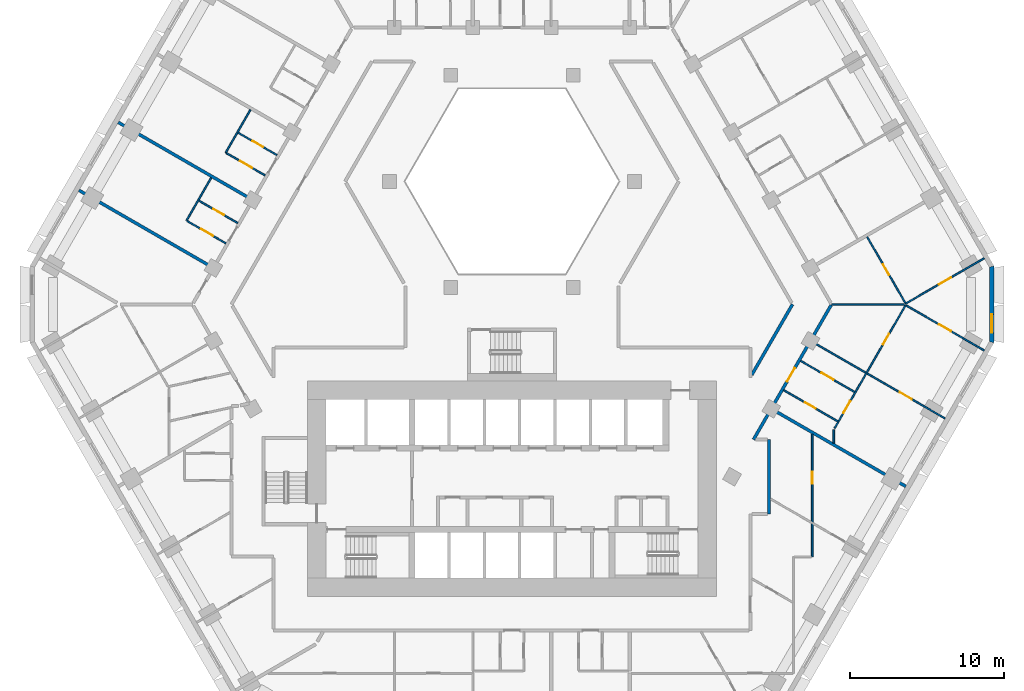
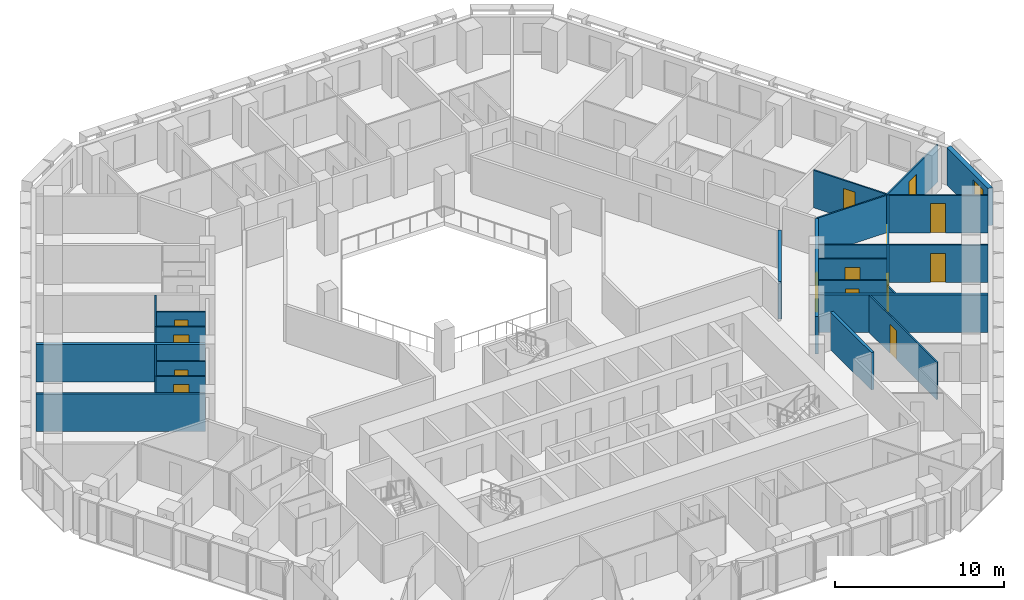
# One storey, part 7 of 16: 24 walls, 14 doors, 1 window, 15 openings.
"""IFC4 building model written with IfcOpenShell, lengths in metres."""

from ifc_helpers import new_model, si_unit, direction, frame, frame_2d, origin, place, context, subcontext, project, spatial, polyline, rectangle, outline, extrude, material, layer, layer_set, type_object, element, fill, save


model = new_model("IFC4")

# Units and contexts
model_context = context("Model", 3, precision=1e-05, world=origin(), true_north=direction((0.0, 1.0)))
body_context = subcontext(model_context, "Body", "Model", "MODEL_VIEW")
ifc_project = project(units=[si_unit("LENGTHUNIT", "METRE"), si_unit("AREAUNIT", "SQUARE_METRE"), si_unit("VOLUMEUNIT", "CUBIC_METRE"), si_unit("PLANEANGLEUNIT", "RADIAN"), si_unit("MASSUNIT", "GRAM", prefix="KILO")], contexts=[model_context])

# Site, building, storey
site_placement = place(None, origin())
site = spatial("IfcSite", under=ifc_project, at=site_placement, CompositionType="ELEMENT")
building_placement = place(site_placement, origin())
building = spatial("IfcBuilding", under=site, at=building_placement, Name="Beryl Residences", CompositionType="ELEMENT")
storey_placement = place(building_placement, frame((0.0, 0.0, 32.39990234375)))
storey = spatial("IfcBuildingStorey", under=building, at=storey_placement, Name="L09", CompositionType="ELEMENT", Elevation=32.39990234375)

# Wall, opening, window
ifc_material_1 = material(Name="Composite metal panel with mineral wool insulation")
ifc_layer_1 = layer(ifc_material_1, 0.300048828125)
ifc_layer_set_1 = layer_set([ifc_layer_1], Name="ES1 pale metal composite panel wall 300 mm")
wall_type_1 = type_object("IfcWallType", Name="ES1 pale metal composite panel wall 300 mm", PredefinedType="SOLIDWALL", material=ifc_layer_set_1)
wall_1_placement = place(storey_placement, frame((31.199951171875, -2.5, 0.0), z_axis=(0.0, 0.0, 1.0), x_axis=(0.0, 1.0, 0.0)))
wall_1 = element("IfcWall", 1, at=wall_1_placement, inside=storey, type_object=wall_type_1, Name="ES1 external wall L09 SE-NE", PredefinedType="SOLIDWALL", context=body_context, shape_type="SweptSolid", body=[
    extrude(outline(polyline([(0.0, -0.14990234375), (5.0, -0.14990234375), (4.919677734375, 0.14990234375), (0.080322265625, 0.14990234375), (0.0, -0.14990234375)])), origin(), (0.0, 0.0, 1.0), 2.7001953125),
])
opening_1_placement = place(wall_1_placement, frame((0.64990234375, 0.0, 0.14990234375)))
opening_1 = element("IfcOpeningElement", 2, at=opening_1_placement, cuts=wall_1, Name="Opening W2", PredefinedType="OPENING", context=body_context, shape_type="SweptSolid", body=[
    extrude(rectangle(XDim=1.199951171875, YDim=2.10009765625, at=frame_2d((0.60009765625, 1.050048828125))), frame((0.0, 0.159912109375, 0.0), z_axis=(0.0, -1.0, 0.0), x_axis=(1.0, 0.0, 0.0)), (0.0, 0.0, 1.0), 0.320068359375),
])
ifc_material_2 = material(Name="Aluminium and clear glass", Category="aluminium")
window_type = type_object("IfcWindowType", Name="W2 chamfer window 1200 x 2100 mm", PartitioningType="SINGLE_PANEL", PredefinedType="WINDOW", material=ifc_material_2)
window_placement = place(opening_1_placement, origin())
window = element("IfcWindow", 3, at=window_placement, inside=storey, type_object=window_type, Name="W2 window L09 SE-NE 1", OverallHeight=2.10009765625, OverallWidth=1.199951171875, PartitioningType="SINGLE_PANEL", PredefinedType="WINDOW", context=body_context, shape_type="SweptSolid", body=[
    extrude(rectangle(XDim=1.199951171875, YDim=2.10009765625, at=frame_2d((0.60009765625, 1.050048828125))), frame((0.0, 0.030029296875, 0.0), z_axis=(0.0, -1.0, 0.0), x_axis=(1.0, 0.0, 0.0)), (0.0, 0.0, 1.0), 0.06005859375),
])
fill(opening_1, window)

# Wall, opening, door
ifc_material_3 = material(Name="Gypsum board partition on steel studs", Category="steel")
ifc_layer_2 = layer(ifc_material_3, 0.10009765625)
ifc_layer_set_2 = layer_set([ifc_layer_2], Name="PT1 partition 100 mm gypsum board on steel studs")
wall_type_2 = type_object("IfcWallType", Name="PT1 partition 100 mm gypsum board on steel studs", PredefinedType="PARTITIONING", material=ifc_layer_set_2)
wall_2_placement = place(storey_placement, frame((23.10302734375, 4.384033203125, 0.0), z_axis=(0.0, 0.0, 1.0), x_axis=(0.500029609304, -0.86600830817, 0.0)))
wall_2 = element("IfcWall", 4, at=wall_2_placement, inside=storey, type_object=wall_type_2, Name="Wall PT1 L09 006", PredefinedType="PARTITIONING", context=body_context, shape_type="SweptSolid", body=[
    extrude(rectangle(XDim=4.953857421875, YDim=0.10009765625, at=frame_2d((2.47705078125, 0.0))), origin(), (0.0, 0.0, 1.0), 2.7001953125),
])
opening_2_placement = place(wall_2_placement, frame((2.052001953125, 0.0, 0.0)))
opening_2 = element("IfcOpeningElement", 5, at=opening_2_placement, cuts=wall_2, Name="Opening D0449", PredefinedType="OPENING", context=body_context, shape_type="SweptSolid", body=[
    extrude(rectangle(XDim=0.800048828125, YDim=2.10009765625, at=frame_2d((0.39990234375, 1.050048828125))), frame((0.0, 0.06005859375, 0.0), z_axis=(0.0, -1.0, 0.0), x_axis=(1.0, 0.0, 0.0)), (0.0, 0.0, 1.0), 0.1201171875),
])
ifc_material_4 = material(Name="Timber door leaf", Category="wood")
door_type_1 = type_object("IfcDoorType", Name="D3 bathroom door 800 x 2100 mm", OperationType="SINGLE_SWING_LEFT", PredefinedType="DOOR", material=ifc_material_4)
door_1_placement = place(opening_2_placement, origin())
door_1 = element("IfcDoor", 6, at=door_1_placement, inside=storey, type_object=door_type_1, Name="Door D0449 L09 001", OperationType="SINGLE_SWING_LEFT", OverallHeight=2.10009765625, OverallWidth=0.800048828125, PredefinedType="DOOR", context=body_context, shape_type="SweptSolid", body=[
    extrude(rectangle(XDim=0.800048828125, YDim=2.10009765625, at=frame_2d((0.39990234375, 1.050048828125))), frame((0.0, 0.02490234375, 0.0), z_axis=(0.0, -1.0, 0.0), x_axis=(1.0, 0.0, 0.0)), (0.0, 0.0, 1.0), 0.050048828125),
])
fill(opening_2, door_1)

wall_3_placement = place(storey_placement, frame((-20.364013671875, 6.7470703125, 0.0), z_axis=(0.0, 0.0, 1.0), x_axis=(0.866003949776, -0.500037157592, 0.0)))
wall_3 = element("IfcWall", 7, at=wall_3_placement, inside=storey, type_object=wall_type_2, Name="Wall PT1 L09 015", PredefinedType="PARTITIONING", context=body_context, shape_type="SweptSolid", body=[
    extrude(rectangle(XDim=2.909912109375, YDim=0.10009765625, at=frame_2d((1.455078125, 0.0))), origin(), (0.0, 0.0, 1.0), 2.7001953125),
])
opening_3_placement = place(wall_3_placement, frame((1.080078125, 0.0, 0.0)))
opening_3 = element("IfcOpeningElement", 8, at=opening_3_placement, cuts=wall_3, Name="Opening D0410", PredefinedType="OPENING", context=body_context, shape_type="SweptSolid", body=[
    extrude(rectangle(XDim=0.800048828125, YDim=2.10009765625, at=frame_2d((0.39990234375, 1.050048828125))), frame((0.0, 0.06005859375, 0.0), z_axis=(0.0, -1.0, 0.0), x_axis=(1.0, 0.0, 0.0)), (0.0, 0.0, 1.0), 0.1201171875),
])
door_2_placement = place(opening_3_placement, origin())
door_2 = element("IfcDoor", 9, at=door_2_placement, inside=storey, type_object=door_type_1, Name="Door D0410 L09 001", OperationType="SINGLE_SWING_RIGHT", OverallHeight=2.10009765625, OverallWidth=0.800048828125, PredefinedType="DOOR", context=body_context, shape_type="SweptSolid", body=[
    extrude(rectangle(XDim=0.800048828125, YDim=2.10009765625, at=frame_2d((0.39990234375, 1.050048828125))), frame((0.0, 0.02490234375, 0.0), z_axis=(0.0, -1.0, 0.0), x_axis=(1.0, 0.0, 0.0)), (0.0, 0.0, 1.0), 0.050048828125),
])
fill(opening_3, door_2)

wall_4_placement = place(storey_placement, frame((-21.12890625, 5.4208984375, 0.0), z_axis=(0.0, 0.0, 1.0), x_axis=(0.865935355752, -0.500155935342, 0.0)))
wall_4 = element("IfcWall", 10, at=wall_4_placement, inside=storey, type_object=wall_type_2, Name="Wall PT1 L09 016", PredefinedType="PARTITIONING", context=body_context, shape_type="SweptSolid", body=[
    extrude(rectangle(XDim=2.90869140625, YDim=0.10009765625, at=frame_2d((1.454345703125, 0.0))), origin(), (0.0, 0.0, 1.0), 2.7001953125),
])
opening_4_placement = place(wall_4_placement, frame((1.029052734375, 0.0, 0.0)))
opening_4 = element("IfcOpeningElement", 11, at=opening_4_placement, cuts=wall_4, Name="Opening D0409", PredefinedType="OPENING", context=body_context, shape_type="SweptSolid", body=[
    extrude(rectangle(XDim=0.89990234375, YDim=2.10009765625, at=frame_2d((0.449951171875, 1.050048828125))), frame((0.0, 0.06005859375, 0.0), z_axis=(0.0, -1.0, 0.0), x_axis=(1.0, 0.0, 0.0)), (0.0, 0.0, 1.0), 0.1201171875),
])
ifc_material_5 = material(Name="Timber door leaf", Category="wood")
door_type_2 = type_object("IfcDoorType", Name="D2 room door 900 x 2100 mm", OperationType="SINGLE_SWING_LEFT", PredefinedType="DOOR", material=ifc_material_5)
door_3_placement = place(opening_4_placement, origin())
door_3 = element("IfcDoor", 12, at=door_3_placement, inside=storey, type_object=door_type_2, Name="Door D0409 L09 001", OperationType="SINGLE_SWING_LEFT", OverallHeight=2.10009765625, OverallWidth=0.89990234375, PredefinedType="DOOR", context=body_context, shape_type="SweptSolid", body=[
    extrude(rectangle(XDim=0.89990234375, YDim=2.10009765625, at=frame_2d((0.449951171875, 1.050048828125))), frame((0.0, 0.02490234375, 0.0), z_axis=(0.0, -1.0, 0.0), x_axis=(1.0, 0.0, 0.0)), (0.0, 0.0, 1.0), 0.050048828125),
])
fill(opening_4, door_3)

wall_5_placement = place(storey_placement, frame((-18.576904296875, 9.841064453125, 0.0), z_axis=(0.0, 0.0, 1.0), x_axis=(0.865899003441, -0.500218867937, 0.0)))
wall_5 = element("IfcWall", 13, at=wall_5_placement, inside=storey, type_object=wall_type_2, Name="Wall PT1 L09 018", PredefinedType="PARTITIONING", context=body_context, shape_type="SweptSolid", body=[
    extrude(rectangle(XDim=2.908935546875, YDim=0.10009765625, at=frame_2d((1.45458984375, 0.0))), origin(), (0.0, 0.0, 1.0), 2.7001953125),
])
opening_5_placement = place(wall_5_placement, frame((1.029052734375, 0.0, 0.0)))
opening_5 = element("IfcOpeningElement", 14, at=opening_5_placement, cuts=wall_5, Name="Opening D0406", PredefinedType="OPENING", context=body_context, shape_type="SweptSolid", body=[
    extrude(rectangle(XDim=0.89990234375, YDim=2.10009765625, at=frame_2d((0.449951171875, 1.050048828125))), frame((0.0, 0.06005859375, 0.0), z_axis=(0.0, -1.0, 0.0), x_axis=(1.0, 0.0, 0.0)), (0.0, 0.0, 1.0), 0.1201171875),
])
door_4_placement = place(opening_5_placement, origin())
door_4 = element("IfcDoor", 15, at=door_4_placement, inside=storey, type_object=door_type_2, Name="Door D0406 L09 001", OperationType="SINGLE_SWING_RIGHT", OverallHeight=2.10009765625, OverallWidth=0.89990234375, PredefinedType="DOOR", context=body_context, shape_type="SweptSolid", body=[
    extrude(rectangle(XDim=0.89990234375, YDim=2.10009765625, at=frame_2d((0.449951171875, 1.050048828125))), frame((0.0, 0.02490234375, 0.0), z_axis=(0.0, -1.0, 0.0), x_axis=(1.0, 0.0, 0.0)), (0.0, 0.0, 1.0), 0.050048828125),
])
fill(opening_5, door_4)

wall_6_placement = place(storey_placement, frame((17.677001953125, -5.58203125, 0.0), z_axis=(0.0, 0.0, 1.0), x_axis=(0.866015917575, -0.500016430238, 0.0)))
wall_6 = element("IfcWall", 16, at=wall_6_placement, inside=storey, type_object=wall_type_2, Name="Wall PT1 L09 020", PredefinedType="PARTITIONING", context=body_context, shape_type="SweptSolid", body=[
    extrude(rectangle(XDim=4.049560546875, YDim=0.10009765625, at=frame_2d((2.02490234375, 0.0))), origin(), (0.0, 0.0, 1.0), 2.7001953125),
])
opening_6_placement = place(wall_6_placement, frame((1.60009765625, 0.0, 0.0)))
opening_6 = element("IfcOpeningElement", 17, at=opening_6_placement, cuts=wall_6, Name="Opening D0442", PredefinedType="OPENING", context=body_context, shape_type="SweptSolid", body=[
    extrude(rectangle(XDim=0.800048828125, YDim=2.10009765625, at=frame_2d((0.39990234375, 1.050048828125))), frame((0.0, 0.06005859375, 0.0), z_axis=(0.0, -1.0, 0.0), x_axis=(1.0, 0.0, 0.0)), (0.0, 0.0, 1.0), 0.1201171875),
])
door_5_placement = place(opening_6_placement, origin())
door_5 = element("IfcDoor", 18, at=door_5_placement, inside=storey, type_object=door_type_1, Name="Door D0442 L09 001", OperationType="SINGLE_SWING_RIGHT", OverallHeight=2.10009765625, OverallWidth=0.800048828125, PredefinedType="DOOR", context=body_context, shape_type="SweptSolid", body=[
    extrude(rectangle(XDim=0.800048828125, YDim=2.10009765625, at=frame_2d((0.39990234375, 1.050048828125))), frame((0.0, 0.02490234375, 0.0), z_axis=(0.0, -1.0, 0.0), x_axis=(1.0, 0.0, 0.0)), (0.0, 0.0, 1.0), 0.050048828125),
])
fill(opening_6, door_5)

wall_7_placement = place(storey_placement, frame((18.777099609375, -3.677001953125, 0.0), z_axis=(0.0, 0.0, 1.0), x_axis=(0.866000843773, -0.500042536776, 0.0)))
wall_7 = element("IfcWall", 19, at=wall_7_placement, inside=storey, type_object=wall_type_2, Name="Wall PT1 L09 023", PredefinedType="PARTITIONING", context=body_context, shape_type="SweptSolid", body=[
    extrude(rectangle(XDim=4.049560546875, YDim=0.10009765625, at=frame_2d((2.02490234375, 0.0))), origin(), (0.0, 0.0, 1.0), 2.7001953125),
])
opening_7_placement = place(wall_7_placement, frame((1.550048828125, 0.0, 0.0)))
opening_7 = element("IfcOpeningElement", 20, at=opening_7_placement, cuts=wall_7, Name="Opening D0443", PredefinedType="OPENING", context=body_context, shape_type="SweptSolid", body=[
    extrude(rectangle(XDim=0.89990234375, YDim=2.10009765625, at=frame_2d((0.449951171875, 1.050048828125))), frame((0.0, 0.06005859375, 0.0), z_axis=(0.0, -1.0, 0.0), x_axis=(1.0, 0.0, 0.0)), (0.0, 0.0, 1.0), 0.1201171875),
])
door_6_placement = place(opening_7_placement, origin())
door_6 = element("IfcDoor", 21, at=door_6_placement, inside=storey, type_object=door_type_2, Name="Door D0443 L09 001", OperationType="SINGLE_SWING_LEFT", OverallHeight=2.10009765625, OverallWidth=0.89990234375, PredefinedType="DOOR", context=body_context, shape_type="SweptSolid", body=[
    extrude(rectangle(XDim=0.89990234375, YDim=2.10009765625, at=frame_2d((0.449951171875, 1.050048828125))), frame((0.0, 0.02490234375, 0.0), z_axis=(0.0, -1.0, 0.0), x_axis=(1.0, 0.0, 0.0)), (0.0, 0.0, 1.0), 0.050048828125),
])
fill(opening_7, door_6)

wall_8_placement = place(storey_placement, frame((-17.81298828125, 11.1669921875, 0.0), z_axis=(0.0, 0.0, 1.0), x_axis=(0.866087824531, -0.499891868507, 0.0)))
wall_8 = element("IfcWall", 22, at=wall_8_placement, inside=storey, type_object=wall_type_2, Name="Wall PT1 L09 024", PredefinedType="PARTITIONING", context=body_context, shape_type="SweptSolid", body=[
    extrude(rectangle(XDim=2.910888671875, YDim=0.10009765625, at=frame_2d((1.45556640625, 0.0))), origin(), (0.0, 0.0, 1.0), 2.7001953125),
])
opening_8_placement = place(wall_8_placement, frame((1.080078125, 0.0, 0.0)))
opening_8 = element("IfcOpeningElement", 23, at=opening_8_placement, cuts=wall_8, Name="Opening D0407", PredefinedType="OPENING", context=body_context, shape_type="SweptSolid", body=[
    extrude(rectangle(XDim=0.800048828125, YDim=2.10009765625, at=frame_2d((0.39990234375, 1.050048828125))), frame((0.0, 0.06005859375, 0.0), z_axis=(0.0, -1.0, 0.0), x_axis=(1.0, 0.0, 0.0)), (0.0, 0.0, 1.0), 0.1201171875),
])
door_7_placement = place(opening_8_placement, origin())
door_7 = element("IfcDoor", 24, at=door_7_placement, inside=storey, type_object=door_type_1, Name="Door D0407 L09 001", OperationType="SINGLE_SWING_LEFT", OverallHeight=2.10009765625, OverallWidth=0.800048828125, PredefinedType="DOOR", context=body_context, shape_type="SweptSolid", body=[
    extrude(rectangle(XDim=0.800048828125, YDim=2.10009765625, at=frame_2d((0.39990234375, 1.050048828125))), frame((0.0, 0.02490234375, 0.0), z_axis=(0.0, -1.0, 0.0), x_axis=(1.0, 0.0, 0.0)), (0.0, 0.0, 1.0), 0.050048828125),
])
fill(opening_8, door_7)

wall_9_placement = place(storey_placement, frame((19.5029296875, -2.4189453125, 0.0), z_axis=(0.0, 0.0, 1.0), x_axis=(0.866047370643, -0.499961950354, 0.0)))
wall_9 = element("IfcWall", 25, at=wall_9_placement, inside=storey, type_object=wall_type_2, Name="Wall PT1 L09 025", PredefinedType="PARTITIONING", context=body_context, shape_type="SweptSolid", body=[
    extrude(rectangle(XDim=10.000732421875, YDim=0.10009765625, at=frame_2d((5.00048828125, 0.0))), origin(), (0.0, 0.0, 1.0), 2.7001953125),
])
opening_9_placement = place(wall_9_placement, frame((6.60009765625, 0.0, 0.0)))
opening_9 = element("IfcOpeningElement", 26, at=opening_9_placement, cuts=wall_9, Name="Opening D0445", PredefinedType="OPENING", context=body_context, shape_type="SweptSolid", body=[
    extrude(rectangle(XDim=0.89990234375, YDim=2.10009765625, at=frame_2d((0.449951171875, 1.050048828125))), frame((0.0, 0.06005859375, 0.0), z_axis=(0.0, -1.0, 0.0), x_axis=(1.0, 0.0, 0.0)), (0.0, 0.0, 1.0), 0.1201171875),
])
door_8_placement = place(opening_9_placement, origin())
door_8 = element("IfcDoor", 27, at=door_8_placement, inside=storey, type_object=door_type_2, Name="Door D0445 L09 001", OperationType="SINGLE_SWING_LEFT", OverallHeight=2.10009765625, OverallWidth=0.89990234375, PredefinedType="DOOR", context=body_context, shape_type="SweptSolid", body=[
    extrude(rectangle(XDim=0.89990234375, YDim=2.10009765625, at=frame_2d((0.449951171875, 1.050048828125))), frame((0.0, 0.02490234375, 0.0), z_axis=(0.0, -1.0, 0.0), x_axis=(1.0, 0.0, 0.0)), (0.0, 0.0, 1.0), 0.050048828125),
])
fill(opening_9, door_8)

wall_10_placement = place(storey_placement, frame((25.64892578125, -0.073974609375, 0.0), z_axis=(0.0, 0.0, 1.0), x_axis=(0.866059819573, -0.499940385368, 0.0)))
wall_10 = element("IfcWall", 28, at=wall_10_placement, inside=storey, type_object=wall_type_2, Name="Wall PT1 L09 026", PredefinedType="PARTITIONING", context=body_context, shape_type="SweptSolid", body=[
    extrude(rectangle(XDim=5.850830078125, YDim=0.10009765625, at=frame_2d((2.92529296875, 0.0))), origin(), (0.0, 0.0, 1.0), 2.7001953125),
])
opening_10_placement = place(wall_10_placement, frame((2.449951171875, 0.0, 0.0)))
opening_10 = element("IfcOpeningElement", 29, at=opening_10_placement, cuts=wall_10, Name="Opening D0446", PredefinedType="OPENING", context=body_context, shape_type="SweptSolid", body=[
    extrude(rectangle(XDim=0.89990234375, YDim=2.10009765625, at=frame_2d((0.449951171875, 1.050048828125))), frame((0.0, 0.06005859375, 0.0), z_axis=(0.0, -1.0, 0.0), x_axis=(1.0, 0.0, 0.0)), (0.0, 0.0, 1.0), 0.1201171875),
])
door_9_placement = place(opening_10_placement, origin())
door_9 = element("IfcDoor", 30, at=door_9_placement, inside=storey, type_object=door_type_2, Name="Door D0446 L09 001", OperationType="SINGLE_SWING_RIGHT", OverallHeight=2.10009765625, OverallWidth=0.89990234375, PredefinedType="DOOR", context=body_context, shape_type="SweptSolid", body=[
    extrude(rectangle(XDim=0.89990234375, YDim=2.10009765625, at=frame_2d((0.449951171875, 1.050048828125))), frame((0.0, 0.02490234375, 0.0), z_axis=(0.0, -1.0, 0.0), x_axis=(1.0, 0.0, 0.0)), (0.0, 0.0, 1.0), 0.050048828125),
])
fill(opening_10, door_9)

# Wall
wall_11_placement = place(storey_placement, frame((20.783935546875, 0.0009765625, 0.0), z_axis=(0.0, 0.0, 1.0), x_axis=(1.0, 0.0, 0.0)))
element("IfcWall", 31, at=wall_11_placement, inside=storey, type_object=wall_type_2, Name="Wall PT1 L09 034", PredefinedType="PARTITIONING", context=body_context, shape_type="SweptSolid", body=[
    extrude(rectangle(XDim=4.736083984375, YDim=0.10009765625, at=frame_2d((2.3681640625, 0.0))), origin(), (0.0, 0.0, 1.0), 2.7001953125),
])

# Wall, opening, door
wall_12_placement = place(storey_placement, frame((20.97802734375, -8.06494140625, 0.0), z_axis=(0.0, 0.0, 1.0), x_axis=(0.499965068118, 0.866045570776, 0.0)))
wall_12 = element("IfcWall", 32, at=wall_12_placement, inside=storey, type_object=wall_type_2, Name="Wall PT1 L09 040", PredefinedType="PARTITIONING", context=body_context, shape_type="SweptSolid", body=[
    extrude(rectangle(XDim=4.152099609375, YDim=0.10009765625, at=frame_2d((2.076171875, 0.0))), origin(), (0.0, 0.0, 1.0), 2.7001953125),
])
opening_11_placement = place(wall_12_placement, frame((1.14990234375, 0.0, 0.0)))
opening_11 = element("IfcOpeningElement", 33, at=opening_11_placement, cuts=wall_12, Name="Opening D0444", PredefinedType="OPENING", context=body_context, shape_type="SweptSolid", body=[
    extrude(rectangle(XDim=0.89990234375, YDim=2.10009765625, at=frame_2d((0.449951171875, 1.050048828125))), frame((0.0, 0.06005859375, 0.0), z_axis=(0.0, -1.0, 0.0), x_axis=(1.0, 0.0, 0.0)), (0.0, 0.0, 1.0), 0.1201171875),
])
door_10_placement = place(opening_11_placement, origin())
door_10 = element("IfcDoor", 34, at=door_10_placement, inside=storey, type_object=door_type_2, Name="Door D0444 L09 001", OperationType="SINGLE_SWING_RIGHT", OverallHeight=2.10009765625, OverallWidth=0.89990234375, PredefinedType="DOOR", context=body_context, shape_type="SweptSolid", body=[
    extrude(rectangle(XDim=0.89990234375, YDim=2.10009765625, at=frame_2d((0.449951171875, 1.050048828125))), frame((0.0, 0.02490234375, 0.0), z_axis=(0.0, -1.0, 0.0), x_axis=(1.0, 0.0, 0.0)), (0.0, 0.0, 1.0), 0.050048828125),
])
fill(opening_11, door_10)

# Walls
wall_13_placement = place(storey_placement, frame((-21.173095703125, 5.447021484375, 0.0), z_axis=(0.0, 0.0, 1.0), x_axis=(0.500162542782, 0.865931539325, 0.0)))
element("IfcWall", 35, at=wall_13_placement, inside=storey, type_object=wall_type_2, Name="Wall PT1 L09 042", PredefinedType="PARTITIONING", context=body_context, shape_type="SweptSolid", body=[
    extrude(rectangle(XDim=3.21728515625, YDim=0.10009765625, at=frame_2d((1.608642578125, 0.0))), origin(), (0.0, 0.0, 1.0), 2.7001953125),
])
wall_14_placement = place(storey_placement, frame((-18.62109375, 9.866943359375, 0.0), z_axis=(0.0, 0.0, 1.0), x_axis=(0.500197891286, 0.865911121047, 0.0)))
element("IfcWall", 36, at=wall_14_placement, inside=storey, type_object=wall_type_2, Name="Wall PT1 L09 043", PredefinedType="PARTITIONING", context=body_context, shape_type="SweptSolid", body=[
    extrude(rectangle(XDim=3.215087890625, YDim=0.10009765625, at=frame_2d((1.607421875, 0.0))), origin(), (0.0, 0.0, 1.0), 2.7001953125),
])

# Wall, opening, door
wall_15_placement = place(storey_placement, frame((19.528076171875, -16.424072265625, 0.0), z_axis=(0.0, 0.0, 1.0), x_axis=(0.0, 1.0, 0.0)))
wall_15 = element("IfcWall", 37, at=wall_15_placement, inside=storey, type_object=wall_type_2, Name="Wall PT1 L09 047", PredefinedType="PARTITIONING", context=body_context, shape_type="SweptSolid", body=[
    extrude(rectangle(XDim=7.982177734375, YDim=0.10009765625, at=frame_2d((3.9912109375, 0.0))), origin(), (0.0, 0.0, 1.0), 2.7001953125),
])
opening_12_placement = place(wall_15_placement, frame((4.75, 0.0, 0.0)))
opening_12 = element("IfcOpeningElement", 38, at=opening_12_placement, cuts=wall_15, Name="Opening D0440", PredefinedType="OPENING", context=body_context, shape_type="SweptSolid", body=[
    extrude(rectangle(XDim=0.800048828125, YDim=2.10009765625, at=frame_2d((0.39990234375, 1.050048828125))), frame((0.0, 0.06005859375, 0.0), z_axis=(0.0, -1.0, 0.0), x_axis=(1.0, 0.0, 0.0)), (0.0, 0.0, 1.0), 0.1201171875),
])
door_11_placement = place(opening_12_placement, origin())
door_11 = element("IfcDoor", 39, at=door_11_placement, inside=storey, type_object=door_type_1, Name="Door D0440 L09 001", OperationType="SINGLE_SWING_RIGHT", OverallHeight=2.10009765625, OverallWidth=0.800048828125, PredefinedType="DOOR", context=body_context, shape_type="SweptSolid", body=[
    extrude(rectangle(XDim=0.800048828125, YDim=2.10009765625, at=frame_2d((0.39990234375, 1.050048828125))), frame((0.0, 0.02490234375, 0.0), z_axis=(0.0, -1.0, 0.0), x_axis=(1.0, 0.0, 0.0)), (0.0, 0.0, 1.0), 0.050048828125),
])
fill(opening_12, door_11)

# Wall
wall_16_placement = place(storey_placement, frame((20.927978515625, -9.02001953125, 0.0), z_axis=(0.0, 0.0, 1.0), x_axis=(0.0, 1.0, 0.0)))
element("IfcWall", 40, at=wall_16_placement, inside=storey, type_object=wall_type_2, Name="Wall PT1 L09 048", PredefinedType="PARTITIONING", context=body_context, shape_type="SweptSolid", body=[
    extrude(rectangle(XDim=0.869140625, YDim=0.10009765625, at=frame_2d((0.4345703125, 0.0))), origin(), (0.0, 0.0, 1.0), 2.7001953125),
])

# Wall, opening, door
wall_17_placement = place(storey_placement, frame((25.587890625, 0.041015625, 0.0), z_axis=(0.0, 0.0, 1.0), x_axis=(0.866113484451, 0.499847408768, 0.0)))
wall_17 = element("IfcWall", 41, at=wall_17_placement, inside=storey, type_object=wall_type_2, Name="Wall PT1 L09 063", PredefinedType="PARTITIONING", context=body_context, shape_type="SweptSolid", body=[
    extrude(rectangle(XDim=5.919677734375, YDim=0.10009765625, at=frame_2d((2.9599609375, 0.0))), origin(), (0.0, 0.0, 1.0), 2.7001953125),
])
opening_13_placement = place(wall_17_placement, frame((2.510009765625, 0.0, 0.0)))
opening_13 = element("IfcOpeningElement", 42, at=opening_13_placement, cuts=wall_17, Name="Opening D0447", PredefinedType="OPENING", context=body_context, shape_type="SweptSolid", body=[
    extrude(rectangle(XDim=0.89990234375, YDim=2.10009765625, at=frame_2d((0.449951171875, 1.050048828125))), frame((0.0, 0.06005859375, 0.0), z_axis=(0.0, -1.0, 0.0), x_axis=(1.0, 0.0, 0.0)), (0.0, 0.0, 1.0), 0.1201171875),
])
door_12_placement = place(opening_13_placement, origin())
door_12 = element("IfcDoor", 43, at=door_12_placement, inside=storey, type_object=door_type_2, Name="Door D0447 L09 001", OperationType="SINGLE_SWING_LEFT", OverallHeight=2.10009765625, OverallWidth=0.89990234375, PredefinedType="DOOR", context=body_context, shape_type="SweptSolid", body=[
    extrude(rectangle(XDim=0.89990234375, YDim=2.10009765625, at=frame_2d((0.449951171875, 1.050048828125))), frame((0.0, 0.02490234375, 0.0), z_axis=(0.0, -1.0, 0.0), x_axis=(1.0, 0.0, 0.0)), (0.0, 0.0, 1.0), 0.050048828125),
])
fill(opening_13, door_12)

wall_18_placement = place(storey_placement, frame((23.053955078125, -4.468994140625, 0.0), z_axis=(0.0, 0.0, 1.0), x_axis=(0.500023345639, 0.866011924754, 0.0)))
wall_18 = element("IfcWall", 44, at=wall_18_placement, inside=storey, type_object=wall_type_2, Name="Wall PT1 L09 074", PredefinedType="PARTITIONING", context=body_context, shape_type="SweptSolid", body=[
    extrude(rectangle(XDim=5.103759765625, YDim=0.10009765625, at=frame_2d((2.5517578125, 0.0))), origin(), (0.0, 0.0, 1.0), 2.7001953125),
])
opening_14_placement = place(wall_18_placement, frame((2.152099609375, 0.0, 0.0)))
opening_14 = element("IfcOpeningElement", 45, at=opening_14_placement, cuts=wall_18, Name="Opening D0448", PredefinedType="OPENING", context=body_context, shape_type="SweptSolid", body=[
    extrude(rectangle(XDim=0.800048828125, YDim=2.10009765625, at=frame_2d((0.39990234375, 1.050048828125))), frame((0.0, 0.06005859375, 0.0), z_axis=(0.0, -1.0, 0.0), x_axis=(1.0, 0.0, 0.0)), (0.0, 0.0, 1.0), 0.1201171875),
])
door_13_placement = place(opening_14_placement, origin())
door_13 = element("IfcDoor", 46, at=door_13_placement, inside=storey, type_object=door_type_1, Name="Door D0448 L09 001", OperationType="SINGLE_SWING_RIGHT", OverallHeight=2.10009765625, OverallWidth=0.800048828125, PredefinedType="DOOR", context=body_context, shape_type="SweptSolid", body=[
    extrude(rectangle(XDim=0.800048828125, YDim=2.10009765625, at=frame_2d((0.39990234375, 1.050048828125))), frame((0.0, 0.02490234375, 0.0), z_axis=(0.0, -1.0, 0.0), x_axis=(1.0, 0.0, 0.0)), (0.0, 0.0, 1.0), 0.050048828125),
])
fill(opening_14, door_13)

# Walls
ifc_material_6 = material(Name="Acoustic double stud gypsum board wall")
ifc_layer_3 = layer(ifc_material_6, 0.199951171875)
ifc_layer_set_3 = layer_set([ifc_layer_3], Name="PT3 party wall 200 mm acoustic double stud")
wall_type_3 = type_object("IfcWallType", Name="PT3 party wall 200 mm acoustic double stud", PredefinedType="PARTITIONING", material=ifc_layer_set_3)
for number, where, z_axis, x_axis, name in (
    (47, (-28.1630859375, 7.4189453125, 0.0), (0.0, 0.0, 1.0), (0.866022959057, -0.500004234368, 0.0), "Wall PT3 L09 005"),
    (48, (-25.611083984375, 11.839111328125, 0.0), (0.0, 0.0, 1.0), (0.866022959057, -0.500004234368, 0.0), "Wall PT3 L09 007"),
    (49, (16.950927734375, -6.839111328125, 0.0), (0.0, 0.0, 1.0), (0.866022959057, -0.500004234368, 0.0), "Wall PT3 L09 011"),
):
    element("IfcWall", number, at=place(storey_placement, frame(where, z_axis=z_axis, x_axis=x_axis)), inside=storey, type_object=wall_type_3, Name=name, PredefinedType="PARTITIONING", context=body_context, shape_type="SweptSolid", body=[
        extrude(rectangle(XDim=10.0, YDim=0.199951171875, at=frame_2d((5.0, 0.0))), origin(), (0.0, 0.0, 1.0), 2.7001953125),
    ])
ifc_material_7 = material(Name="Double stud gypsum board wall")
ifc_layer_4 = layer(ifc_material_7, 0.199951171875)
ifc_layer_set_4 = layer_set([ifc_layer_4], Name="PT4 corridor wall 200 mm double stud")
wall_type_4 = type_object("IfcWallType", Name="PT4 corridor wall 200 mm double stud", PredefinedType="PARTITIONING", material=ifc_layer_set_4)
wall_19_placement = place(storey_placement, frame((15.60009765625, -4.5791015625, 0.0), z_axis=(0.0, 0.0, 1.0), x_axis=(0.499927597274, 0.866067201483, 0.0)))
element("IfcWall", 50, at=wall_19_placement, inside=storey, type_object=wall_type_4, Name="Wall PT4 L09 020", PredefinedType="PARTITIONING", context=body_context, shape_type="SweptSolid", body=[
    extrude(rectangle(XDim=5.288330078125, YDim=0.199951171875, at=frame_2d((2.64404296875, 0.0))), origin(), (0.0, 0.0, 1.0), 2.7001953125),
])

# Wall, opening, door
wall_20_placement = place(storey_placement, frame((15.70703125, -8.7939453125, 0.0), z_axis=(0.0, 0.0, 1.0), x_axis=(0.500016151272, 0.866016078642, 0.0)))
wall_20 = element("IfcWall", 51, at=wall_20_placement, inside=storey, type_object=wall_type_4, Name="Wall PT4 L09 021", PredefinedType="PARTITIONING", context=body_context, shape_type="SweptSolid", body=[
    extrude(rectangle(XDim=10.097900390625, YDim=0.199951171875, at=frame_2d((5.048828125, 0.0))), origin(), (0.0, 0.0, 1.0), 2.7001953125),
])
opening_15_placement = place(wall_20_placement, frame((4.366943359375, 0.0, 0.0)))
opening_15 = element("IfcOpeningElement", 52, at=opening_15_placement, cuts=wall_20, Name="Opening D0441", PredefinedType="OPENING", context=body_context, shape_type="SweptSolid", body=[
    extrude(rectangle(XDim=1.0, YDim=2.10009765625, at=frame_2d((0.5, 1.050048828125))), frame((0.0, 0.10986328125, 0.0), z_axis=(0.0, -1.0, 0.0), x_axis=(1.0, 0.0, 0.0)), (0.0, 0.0, 1.0), 0.219970703125),
])
ifc_material_8 = material(Name="Timber door leaf", Category="wood")
door_type_3 = type_object("IfcDoorType", Name="D1 flat entrance door 1000 x 2100 mm", OperationType="SINGLE_SWING_LEFT", PredefinedType="DOOR", material=ifc_material_8)
door_14_placement = place(opening_15_placement, origin())
door_14 = element("IfcDoor", 53, at=door_14_placement, inside=storey, type_object=door_type_3, Name="Door D0441 L09 001", OperationType="SINGLE_SWING_LEFT", OverallHeight=2.10009765625, OverallWidth=1.0, PredefinedType="DOOR", context=body_context, shape_type="SweptSolid", body=[
    extrude(rectangle(XDim=1.0, YDim=2.10009765625, at=frame_2d((0.5, 1.050048828125))), frame((0.0, 0.02490234375, 0.0), z_axis=(0.0, -1.0, 0.0), x_axis=(1.0, 0.0, 0.0)), (0.0, 0.0, 1.0), 0.050048828125),
])
fill(opening_15, door_14)

# Wall
wall_21_placement = place(storey_placement, frame((16.72802734375, -13.6240234375, 0.0), z_axis=(0.0, 0.0, 1.0), x_axis=(0.0, 1.0, 0.0)))
element("IfcWall", 54, at=wall_21_placement, inside=storey, type_object=wall_type_4, Name="Wall PT4 L09 028", PredefinedType="PARTITIONING", context=body_context, shape_type="SweptSolid", body=[
    extrude(rectangle(XDim=4.830078125, YDim=0.199951171875, at=frame_2d((2.4150390625, 0.0))), origin(), (0.0, 0.0, 1.0), 2.7001953125),
])

save(model, "model.ifc")
